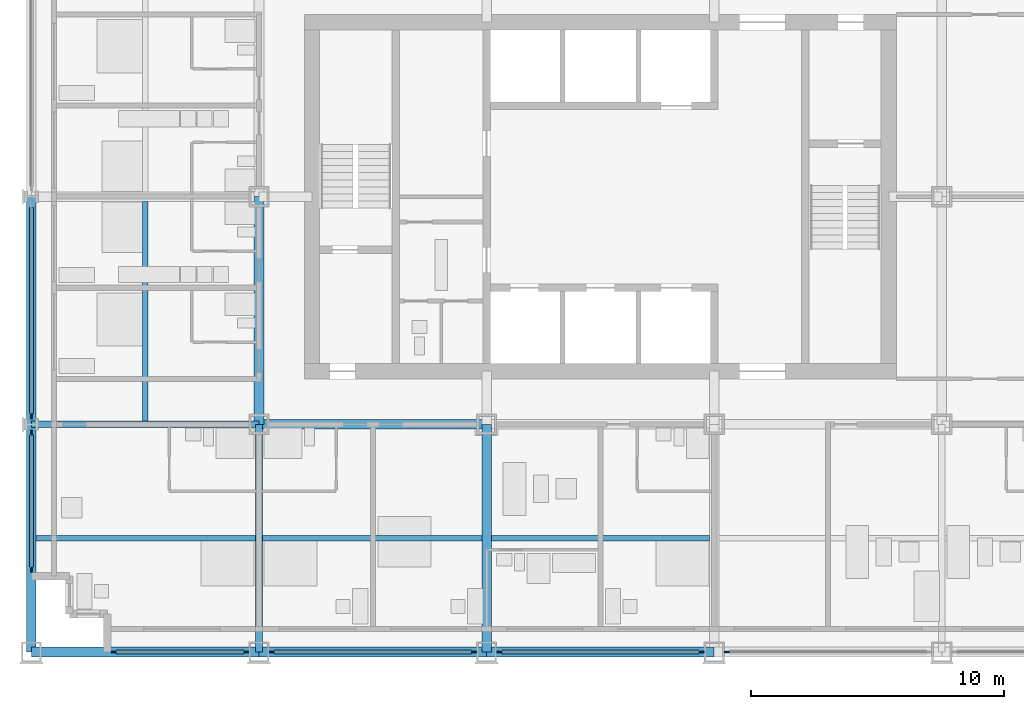
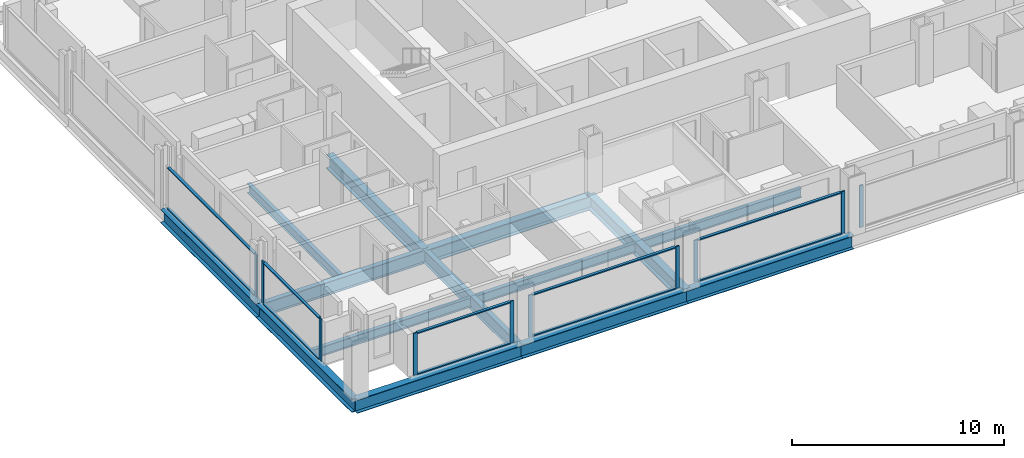
# One storey, part 2 of 18: 20 members, 14 beams, 6 elements without a shape of their own.
"""IFC4 building model written with IfcOpenShell, lengths in metres."""

from ifc_helpers import new_model, si_unit, direction, frame, origin, origin_2d, place, context, subcontext, project, spatial, rectangle, i_section, extrude, material, material_profile, profile_set, type_object, element, aggregate, save


model = new_model("IFC4")

# Units and contexts
model_context = context("Model", 3, precision=1e-05, world=origin(), true_north=direction((0.0, 1.0)))
body_context = subcontext(model_context, "Body", "Model", "MODEL_VIEW")
ifc_project = project(units=[si_unit("LENGTHUNIT", "METRE"), si_unit("AREAUNIT", "SQUARE_METRE"), si_unit("VOLUMEUNIT", "CUBIC_METRE"), si_unit("PLANEANGLEUNIT", "RADIAN"), si_unit("MASSUNIT", "GRAM", prefix="KILO")], contexts=[model_context])

# Site, building, storey
site_placement = place(None, origin())
site = spatial("IfcSite", under=ifc_project, at=site_placement, CompositionType="ELEMENT")
building_placement = place(site_placement, origin())
building = spatial("IfcBuilding", under=site, at=building_placement, Name="Loomwork Tower", CompositionType="ELEMENT")
storey_placement = place(building_placement, frame((0.0, 0.0, 55.199951171875)))
storey = spatial("IfcBuildingStorey", under=building, at=storey_placement, Name="L13", CompositionType="ELEMENT", Elevation=55.199951171875)

# Beams
ifc_material_1 = material(Name="Steel ASTM A992", Category="steel")
ifc_material_profile_1 = material_profile(ifc_material_1, i_section(OverallWidth=0.383544921875, OverallDepth=0.794921875, WebThickness=0.02099609375, FlangeThickness=0.0380859375, at=origin_2d()), Name="W30x235")
ifc_profile_set_1 = profile_set([ifc_material_profile_1], Name="Steel ASTM A992")
beam_type_1 = type_object("IfcBeamType", Name="CORE FLANK GIRDER W30x235", PredefinedType="BEAM", material=ifc_profile_set_1)
for number, where, z_axis, x_axis, name in (
    (1, (9.0, 9.0, -0.597412109375), (1.0, 0.0, 0.0), (0.0, 1.0, 0.0), "Core Flank Girder E/3-E/4 L13"),
    (2, (9.0, 9.0, -0.597412109375), (0.0, 1.0, 0.0), (-1.0, 0.0, 0.0), "Core Flank Girder E/3-F/3 L13"),
    (3, (18.0, 0.0, -0.597412109375), (0.0, 1.0, 0.0), (-1.0, 0.0, 0.0), "Core Flank Girder D/4-E/4 L13"),
):
    element("IfcBeam", number, at=place(storey_placement, frame(where, z_axis=z_axis, x_axis=x_axis)), inside=storey, type_object=beam_type_1, Name=name, PredefinedType="BEAM", context=body_context, shape_type="SweptSolid", body=[
        extrude(i_section(OverallWidth=0.383544921875, OverallDepth=0.794921875, WebThickness=0.02099609375, FlangeThickness=0.0380859375, at=origin_2d()), origin(), (0.0, 0.0, 1.0), 9.0),
    ])
ifc_material_2 = material(Name="Steel ASTM A992", Category="steel")
ifc_material_profile_2 = material_profile(ifc_material_2, i_section(OverallWidth=0.2666015625, OverallDepth=0.761962890625, WebThickness=0.014404296875, FlangeThickness=0.021484375, at=origin_2d()), Name="W30x116")
ifc_profile_set_2 = profile_set([ifc_material_profile_2], Name="Steel ASTM A992")
beam_type_2 = type_object("IfcBeamType", Name="FLOOR GIRDER W30x116", PredefinedType="BEAM", material=ifc_profile_set_2)
for number, where, z_axis, x_axis, name in (
    (4, (0.0, 9.0, -0.5810546875), (1.0, 0.0, 0.0), (0.0, 1.0, 0.0), "Floor Girder E/2-E/3 L13"),
    (5, (9.0, 0.0, -0.5810546875), (0.0, 1.0, 0.0), (-1.0, 0.0, 0.0), "Floor Girder D/3-E/3 L13"),
):
    element("IfcBeam", number, at=place(storey_placement, frame(where, z_axis=z_axis, x_axis=x_axis)), inside=storey, type_object=beam_type_2, Name=name, PredefinedType="BEAM", context=body_context, shape_type="SweptSolid", body=[
        extrude(i_section(OverallWidth=0.2666015625, OverallDepth=0.761962890625, WebThickness=0.014404296875, FlangeThickness=0.021484375, at=origin_2d()), origin(), (0.0, 0.0, 1.0), 9.0),
    ])
ifc_material_3 = material(Name="Steel ASTM A992", Category="steel")
ifc_material_profile_3 = material_profile(ifc_material_3, i_section(OverallWidth=0.2109375, OverallDepth=0.53857421875, WebThickness=0.011474609375, FlangeThickness=0.018798828125, at=origin_2d()), Name="W21x73")
ifc_profile_set_3 = profile_set([ifc_material_profile_3], Name="Steel ASTM A992")
beam_type_3 = type_object("IfcBeamType", Name="FLOOR JOIST W21x73", PredefinedType="JOIST", material=ifc_profile_set_3)
beam_1_placement = place(storey_placement, frame((0.18994140625, 4.5, -0.46923828125), z_axis=(1.0, 0.0, 0.0), x_axis=(0.0, 1.0, 0.0)))
element("IfcBeam", 6, at=beam_1_placement, inside=storey, type_object=beam_type_3, Name="Floor Joist 0.000,4.500-9.000,4.500 L13", PredefinedType="JOIST", context=body_context, shape_type="SweptSolid", body=[
    extrude(i_section(OverallWidth=0.2109375, OverallDepth=0.53857421875, WebThickness=0.011474609375, FlangeThickness=0.018798828125, at=origin_2d()), origin(), (0.0, 0.0, 1.0), 8.677001953125),
])
for number, where, z_axis, x_axis, name in (
    (7, (4.5, 9.133056640625, -0.46923828125), (0.0, 1.0, 0.0), (-1.0, 0.0, 0.0), "Floor Joist 4.500,9.000-4.500,18.000 L13"),
    (8, (9.133056640625, 4.5, -0.46923828125), (1.0, 0.0, 0.0), (0.0, 1.0, 0.0), "Floor Joist 9.000,4.500-18.000,4.500 L13"),
):
    element("IfcBeam", number, at=place(storey_placement, frame(where, z_axis=z_axis, x_axis=x_axis)), inside=storey, type_object=beam_type_3, Name=name, PredefinedType="JOIST", context=body_context, shape_type="SweptSolid", body=[
        extrude(i_section(OverallWidth=0.2109375, OverallDepth=0.53857421875, WebThickness=0.011474609375, FlangeThickness=0.018798828125, at=origin_2d()), origin(), (0.0, 0.0, 1.0), 8.676025390625),
    ])
beam_2_placement = place(storey_placement, frame((18.19091796875, 4.5, -0.46923828125), z_axis=(1.0, 0.0, 0.0), x_axis=(0.0, 1.0, 0.0)))
element("IfcBeam", 9, at=beam_2_placement, inside=storey, type_object=beam_type_3, Name="Floor Joist 18.000,4.500-27.000,4.500 L13", PredefinedType="JOIST", context=body_context, shape_type="SweptSolid", body=[
    extrude(i_section(OverallWidth=0.2109375, OverallDepth=0.53857421875, WebThickness=0.011474609375, FlangeThickness=0.018798828125, at=origin_2d()), origin(), (0.0, 0.0, 1.0), 8.6181640625),
])

# Curtain wall, members
ifc_material_4 = material(Name="Aluminium curtain wall frame", Category="aluminium")
curtain_wall_type = type_object("IfcCurtainWallType", Name="Outer skin glazing hotel", PredefinedType="NOTDEFINED", material=ifc_material_4)
curtain_wall_1_placement = place(storey_placement, origin())
curtain_wall_1 = element("IfcCurtainWall", 10, at=curtain_wall_1_placement, inside=storey, type_object=curtain_wall_type, Name="Outer skin glazing hotel cw/S-0", PredefinedType="NOTDEFINED")
ifc_material_5 = material(Name="Aluminium curtain wall frame", Category="aluminium")
ifc_material_profile_4 = material_profile(ifc_material_5, rectangle(XDim=0.06494140625, YDim=0.199951171875, at=origin_2d()), Name="AL 65x200")
ifc_profile_set_4 = profile_set([ifc_material_profile_4], Name="Aluminium curtain wall frame")
member_type_1 = type_object("IfcMemberType", Name="Outer skin glazing hotel mullion", PredefinedType="MULLION", material=ifc_profile_set_4)
member_1_placement = place(storey_placement, frame((3.25, 0.0, 0.0), z_axis=(0.0, 0.0, 1.0), x_axis=(0.0, 1.0, 0.0)))
member_1 = element("IfcMember", 11, at=member_1_placement, type_object=member_type_1, Name="CW1 mullion 1", PredefinedType="MULLION", context=body_context, shape_type="SweptSolid", body=[
    extrude(rectangle(XDim=0.06494140625, YDim=0.199951171875, at=origin_2d()), origin(), (0.0, 0.0, 1.0), 2.420166015625),
])
member_2_placement = place(storey_placement, frame((8.5, 0.0, 0.0), z_axis=(0.0, 0.0, 1.0), x_axis=(0.0, 1.0, 0.0)))
member_2 = element("IfcMember", 12, at=member_2_placement, type_object=member_type_1, Name="CW1 mullion 2", PredefinedType="MULLION", context=body_context, shape_type="SweptSolid", body=[
    extrude(rectangle(XDim=0.06494140625, YDim=0.199951171875, at=origin_2d()), origin(), (0.0, 0.0, 1.0), 2.420166015625),
])

curtain_wall_2_placement = place(storey_placement, origin())
curtain_wall_2 = element("IfcCurtainWall", 13, at=curtain_wall_2_placement, inside=storey, type_object=curtain_wall_type, Name="Outer skin glazing hotel cw/S-9", PredefinedType="NOTDEFINED")
member_3_placement = place(storey_placement, frame((9.5, 0.0, 0.0), z_axis=(0.0, 0.0, 1.0), x_axis=(0.0, 1.0, 0.0)))
member_3 = element("IfcMember", 14, at=member_3_placement, type_object=member_type_1, Name="CW1 mullion 1", PredefinedType="MULLION", context=body_context, shape_type="SweptSolid", body=[
    extrude(rectangle(XDim=0.06494140625, YDim=0.199951171875, at=origin_2d()), origin(), (0.0, 0.0, 1.0), 2.420166015625),
])
member_4_placement = place(storey_placement, frame((17.5, 0.0, 0.0), z_axis=(0.0, 0.0, 1.0), x_axis=(0.0, 1.0, 0.0)))
member_4 = element("IfcMember", 15, at=member_4_placement, type_object=member_type_1, Name="CW1 mullion 2", PredefinedType="MULLION", context=body_context, shape_type="SweptSolid", body=[
    extrude(rectangle(XDim=0.06494140625, YDim=0.199951171875, at=origin_2d()), origin(), (0.0, 0.0, 1.0), 2.420166015625),
])

curtain_wall_3_placement = place(storey_placement, origin())
curtain_wall_3 = element("IfcCurtainWall", 16, at=curtain_wall_3_placement, inside=storey, type_object=curtain_wall_type, Name="Outer skin glazing hotel cw/S-18", PredefinedType="NOTDEFINED")
member_5_placement = place(storey_placement, frame((18.5, 0.0, 0.0), z_axis=(0.0, 0.0, 1.0), x_axis=(0.0, 1.0, 0.0)))
member_5 = element("IfcMember", 17, at=member_5_placement, type_object=member_type_1, Name="CW1 mullion 1", PredefinedType="MULLION", context=body_context, shape_type="SweptSolid", body=[
    extrude(rectangle(XDim=0.06494140625, YDim=0.199951171875, at=origin_2d()), origin(), (0.0, 0.0, 1.0), 2.420166015625),
])
member_6_placement = place(storey_placement, frame((26.5, 0.0, 0.0), z_axis=(0.0, 0.0, 1.0), x_axis=(0.0, 1.0, 0.0)))
member_6 = element("IfcMember", 18, at=member_6_placement, type_object=member_type_1, Name="CW1 mullion 2", PredefinedType="MULLION", context=body_context, shape_type="SweptSolid", body=[
    extrude(rectangle(XDim=0.06494140625, YDim=0.199951171875, at=origin_2d()), origin(), (0.0, 0.0, 1.0), 2.420166015625),
])

# Curtain wall, member
curtain_wall_4_placement = place(storey_placement, origin())
curtain_wall_4 = element("IfcCurtainWall", 19, at=curtain_wall_4_placement, inside=storey, type_object=curtain_wall_type, Name="Outer skin glazing hotel cw/S-27", PredefinedType="NOTDEFINED")
member_7_placement = place(storey_placement, frame((27.5, 0.0, 0.0), z_axis=(0.0, 0.0, 1.0), x_axis=(0.0, 1.0, 0.0)))
member_7 = element("IfcMember", 20, at=member_7_placement, type_object=member_type_1, Name="CW1 mullion 1", PredefinedType="MULLION", context=body_context, shape_type="SweptSolid", body=[
    extrude(rectangle(XDim=0.06494140625, YDim=0.199951171875, at=origin_2d()), origin(), (0.0, 0.0, 1.0), 2.420166015625),
])
aggregate(curtain_wall_4, [member_7])

# Curtain wall, members
curtain_wall_5_placement = place(storey_placement, origin())
curtain_wall_5 = element("IfcCurtainWall", 21, at=curtain_wall_5_placement, inside=storey, type_object=curtain_wall_type, Name="Outer skin glazing hotel cw/W-0", PredefinedType="NOTDEFINED")
member_8_placement = place(storey_placement, frame((0.0, 8.672607421875, 0.0), z_axis=(0.0, 0.0, 1.0), x_axis=(1.0, 0.0, 0.0)))
member_8 = element("IfcMember", 22, at=member_8_placement, type_object=member_type_1, Name="CW1 mullion 1", PredefinedType="MULLION", context=body_context, shape_type="SweptSolid", body=[
    extrude(rectangle(XDim=0.06494140625, YDim=0.199951171875, at=origin_2d()), origin(), (0.0, 0.0, 1.0), 2.420166015625),
])
member_9_placement = place(storey_placement, frame((0.0, 3.25, 0.0), z_axis=(0.0, 0.0, 1.0), x_axis=(1.0, 0.0, 0.0)))
member_9 = element("IfcMember", 23, at=member_9_placement, type_object=member_type_1, Name="CW1 mullion 2", PredefinedType="MULLION", context=body_context, shape_type="SweptSolid", body=[
    extrude(rectangle(XDim=0.06494140625, YDim=0.199951171875, at=origin_2d()), origin(), (0.0, 0.0, 1.0), 2.420166015625),
])

# Curtain wall, member
curtain_wall_6_placement = place(storey_placement, origin())
curtain_wall_6 = element("IfcCurtainWall", 24, at=curtain_wall_6_placement, inside=storey, type_object=curtain_wall_type, Name="Outer skin glazing hotel cw/W-9", PredefinedType="NOTDEFINED")
member_10_placement = place(storey_placement, frame((0.0, 9.327392578125, 0.0), z_axis=(0.0, 0.0, 1.0), x_axis=(1.0, 0.0, 0.0)))
member_10 = element("IfcMember", 25, at=member_10_placement, type_object=member_type_1, Name="CW1 mullion 2", PredefinedType="MULLION", context=body_context, shape_type="SweptSolid", body=[
    extrude(rectangle(XDim=0.06494140625, YDim=0.199951171875, at=origin_2d()), origin(), (0.0, 0.0, 1.0), 2.420166015625),
])

# Member
ifc_material_6 = material(Name="Aluminium curtain wall frame", Category="aluminium")
ifc_material_profile_5 = material_profile(ifc_material_6, rectangle(XDim=0.14990234375, YDim=0.06494140625, at=origin_2d()), Name="AL 65x150")
ifc_profile_set_5 = profile_set([ifc_material_profile_5], Name="Aluminium curtain wall frame")
member_type_2 = type_object("IfcMemberType", Name="Outer skin glazing hotel transom", PredefinedType="USERDEFINED", material=ifc_profile_set_5)
member_11_placement = place(storey_placement, frame((3.35009765625, 0.0, 0.032470703125), z_axis=(1.0, 0.0, 0.0), x_axis=(0.0, 1.0, 0.0)))
member_11 = element("IfcMember", 26, at=member_11_placement, type_object=member_type_2, Name="CW1 transom 1.1", ObjectType="TRANSOM", PredefinedType="USERDEFINED", context=body_context, shape_type="SweptSolid", body=[
    extrude(rectangle(XDim=0.14990234375, YDim=0.06494140625, at=origin_2d()), origin(), (0.0, 0.0, 1.0), 5.0498046875),
])

member_12_placement = place(storey_placement, frame((3.35009765625, 0.0, 2.3876953125), z_axis=(1.0, 0.0, 0.0), x_axis=(0.0, 1.0, 0.0)))
member_12 = element("IfcMember", 27, at=member_12_placement, type_object=member_type_2, Name="CW1 transom 1.2", ObjectType="TRANSOM", PredefinedType="USERDEFINED", context=body_context, shape_type="SweptSolid", body=[
    extrude(rectangle(XDim=0.14990234375, YDim=0.06494140625, at=origin_2d()), origin(), (0.0, 0.0, 1.0), 5.0498046875),
])

aggregate(curtain_wall_1, [member_1, member_2, member_11, member_12])

member_13_placement = place(storey_placement, frame((9.60009765625, 0.0, 0.032470703125), z_axis=(1.0, 0.0, 0.0), x_axis=(0.0, 1.0, 0.0)))
member_13 = element("IfcMember", 28, at=member_13_placement, type_object=member_type_2, Name="CW1 transom 1.1", ObjectType="TRANSOM", PredefinedType="USERDEFINED", context=body_context, shape_type="SweptSolid", body=[
    extrude(rectangle(XDim=0.14990234375, YDim=0.06494140625, at=origin_2d()), origin(), (0.0, 0.0, 1.0), 7.7998046875),
])

member_14_placement = place(storey_placement, frame((9.60009765625, 0.0, 2.3876953125), z_axis=(1.0, 0.0, 0.0), x_axis=(0.0, 1.0, 0.0)))
member_14 = element("IfcMember", 29, at=member_14_placement, type_object=member_type_2, Name="CW1 transom 1.2", ObjectType="TRANSOM", PredefinedType="USERDEFINED", context=body_context, shape_type="SweptSolid", body=[
    extrude(rectangle(XDim=0.14990234375, YDim=0.06494140625, at=origin_2d()), origin(), (0.0, 0.0, 1.0), 7.7998046875),
])

aggregate(curtain_wall_2, [member_3, member_4, member_13, member_14])

member_15_placement = place(storey_placement, frame((18.60009765625, 0.0, 0.032470703125), z_axis=(1.0, 0.0, 0.0), x_axis=(0.0, 1.0, 0.0)))
member_15 = element("IfcMember", 30, at=member_15_placement, type_object=member_type_2, Name="CW1 transom 1.1", ObjectType="TRANSOM", PredefinedType="USERDEFINED", context=body_context, shape_type="SweptSolid", body=[
    extrude(rectangle(XDim=0.14990234375, YDim=0.06494140625, at=origin_2d()), origin(), (0.0, 0.0, 1.0), 7.7998046875),
])

member_16_placement = place(storey_placement, frame((18.60009765625, 0.0, 2.3876953125), z_axis=(1.0, 0.0, 0.0), x_axis=(0.0, 1.0, 0.0)))
member_16 = element("IfcMember", 31, at=member_16_placement, type_object=member_type_2, Name="CW1 transom 1.2", ObjectType="TRANSOM", PredefinedType="USERDEFINED", context=body_context, shape_type="SweptSolid", body=[
    extrude(rectangle(XDim=0.14990234375, YDim=0.06494140625, at=origin_2d()), origin(), (0.0, 0.0, 1.0), 7.7998046875),
])

aggregate(curtain_wall_3, [member_5, member_6, member_15, member_16])

member_17_placement = place(storey_placement, frame((0.0, 8.57275390625, 0.032470703125), z_axis=(0.0, -1.0, 0.0), x_axis=(1.0, 0.0, 0.0)))
member_17 = element("IfcMember", 32, at=member_17_placement, type_object=member_type_2, Name="CW1 transom 1.1", ObjectType="TRANSOM", PredefinedType="USERDEFINED", context=body_context, shape_type="SweptSolid", body=[
    extrude(rectangle(XDim=0.14990234375, YDim=0.06494140625, at=origin_2d()), origin(), (0.0, 0.0, 1.0), 5.22265625),
])

member_18_placement = place(storey_placement, frame((0.0, 8.57275390625, 2.3876953125), z_axis=(0.0, -1.0, 0.0), x_axis=(1.0, 0.0, 0.0)))
member_18 = element("IfcMember", 33, at=member_18_placement, type_object=member_type_2, Name="CW1 transom 1.2", ObjectType="TRANSOM", PredefinedType="USERDEFINED", context=body_context, shape_type="SweptSolid", body=[
    extrude(rectangle(XDim=0.14990234375, YDim=0.06494140625, at=origin_2d()), origin(), (0.0, 0.0, 1.0), 5.22265625),
])

aggregate(curtain_wall_5, [member_8, member_9, member_17, member_18])

member_19_placement = place(storey_placement, frame((0.0, 17.57275390625, 0.032470703125), z_axis=(0.0, -1.0, 0.0), x_axis=(1.0, 0.0, 0.0)))
member_19 = element("IfcMember", 34, at=member_19_placement, type_object=member_type_2, Name="CW1 transom 1.1", ObjectType="TRANSOM", PredefinedType="USERDEFINED", context=body_context, shape_type="SweptSolid", body=[
    extrude(rectangle(XDim=0.14990234375, YDim=0.06494140625, at=origin_2d()), origin(), (0.0, 0.0, 1.0), 8.1455078125),
])

member_20_placement = place(storey_placement, frame((0.0, 17.57275390625, 2.3876953125), z_axis=(0.0, -1.0, 0.0), x_axis=(1.0, 0.0, 0.0)))
member_20 = element("IfcMember", 35, at=member_20_placement, type_object=member_type_2, Name="CW1 transom 1.2", ObjectType="TRANSOM", PredefinedType="USERDEFINED", context=body_context, shape_type="SweptSolid", body=[
    extrude(rectangle(XDim=0.14990234375, YDim=0.06494140625, at=origin_2d()), origin(), (0.0, 0.0, 1.0), 8.1455078125),
])

aggregate(curtain_wall_6, [member_10, member_19, member_20])

# Beams
ifc_material_7 = material(Name="Steel ASTM A992", Category="steel")
ifc_material_profile_6 = material_profile(ifc_material_7, i_section(OverallWidth=0.381103515625, OverallDepth=0.77978515625, WebThickness=0.01806640625, FlangeThickness=0.0302734375, at=origin_2d()), Name="W30x191")
ifc_profile_set_6 = profile_set([ifc_material_profile_6], Name="Steel ASTM A992")
beam_type_4 = type_object("IfcBeamType", Name="SPANDREL GIRDER W30x191", PredefinedType="SPANDREL", material=ifc_profile_set_6)
for number, where, z_axis, x_axis, name in (
    (36, (0.0, 0.0, -0.58984375), (1.0, 0.0, 0.0), (0.0, 1.0, 0.0), "Spandrel Girder D/2-D/3 L13"),
    (37, (9.0, 0.0, -0.58984375), (1.0, 0.0, 0.0), (0.0, 1.0, 0.0), "Spandrel Girder D/3-D/4 L13"),
    (38, (18.0, 0.0, -0.58984375), (1.0, 0.0, 0.0), (0.0, 1.0, 0.0), "Spandrel Girder D/4-D/5 L13"),
    (39, (0.0, 0.0, -0.58984375), (0.0, 1.0, 0.0), (-1.0, 0.0, 0.0), "Spandrel Girder D/2-E/2 L13"),
    (40, (0.0, 9.0, -0.58984375), (0.0, 1.0, 0.0), (-1.0, 0.0, 0.0), "Spandrel Girder E/2-F/2 L13"),
):
    element("IfcBeam", number, at=place(storey_placement, frame(where, z_axis=z_axis, x_axis=x_axis)), inside=storey, type_object=beam_type_4, Name=name, PredefinedType="SPANDREL", context=body_context, shape_type="SweptSolid", body=[
        extrude(i_section(OverallWidth=0.381103515625, OverallDepth=0.77978515625, WebThickness=0.01806640625, FlangeThickness=0.0302734375, at=origin_2d()), origin(), (0.0, 0.0, 1.0), 9.0),
    ])

save(model, "model.ifc")
